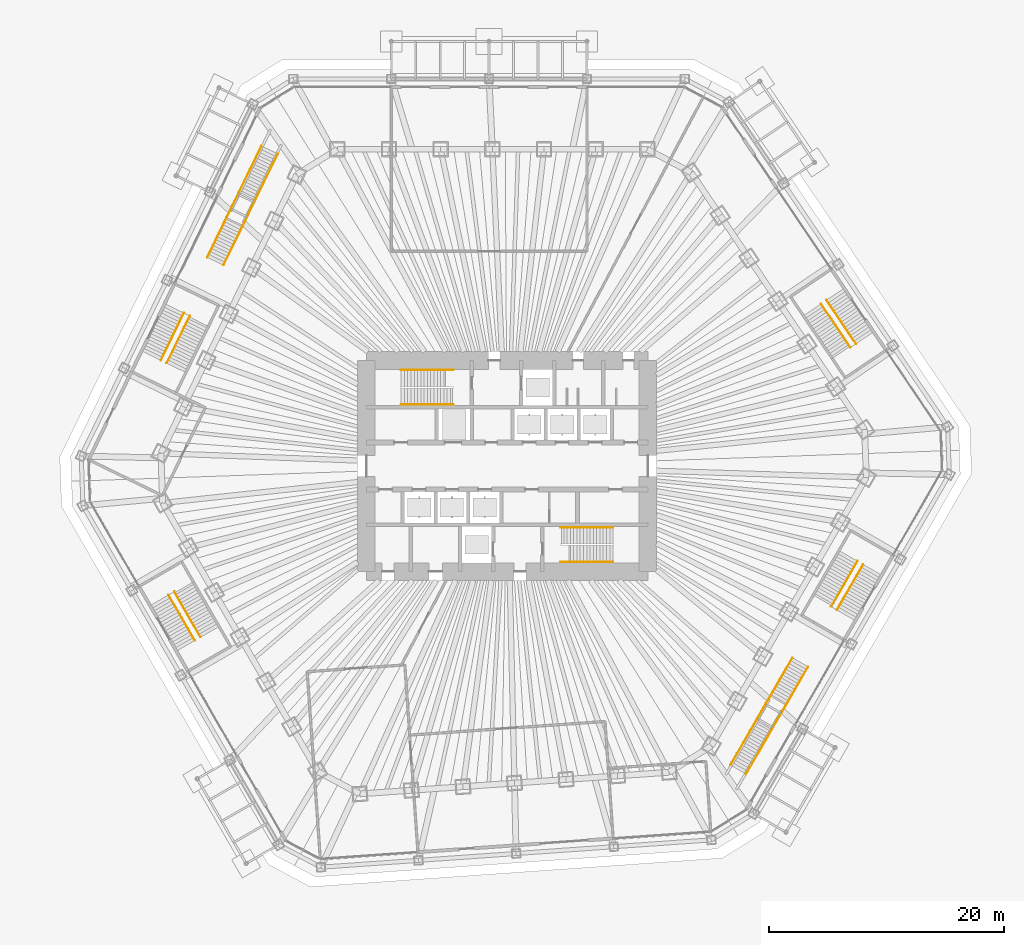
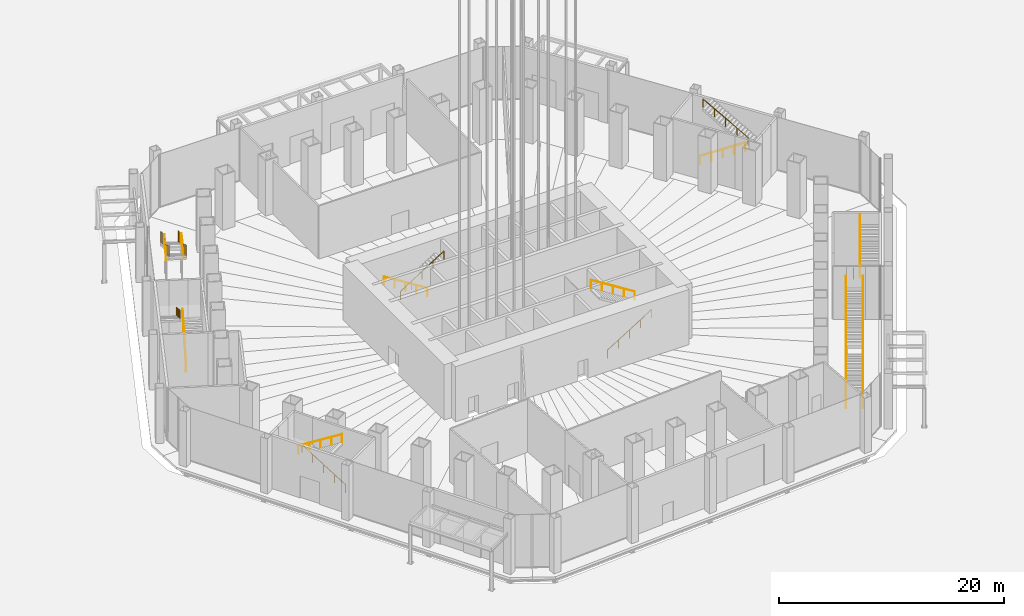
# One storey, part 32 of 45: 20 railings.
"""IFC4 building model written with IfcOpenShell, lengths in metres."""

import ifcopenshell
import ifcopenshell.guid

model = None  # the IFC model being written
_history = None  # IfcOwnerHistory: only IFC2X3 demands one
_inside = {}  # id of a spatial element -> (the spatial element, [elements in it])
_under = {}  # id of a project, library or spatial element -> (it, [spatial elements below it])
_declared = {}  # id of a project -> (the project, [libraries it declares])
_typed = {}  # id of a type object -> (the type object, [elements of that type])
_made_of = {}  # id of a material, layer set ... -> (it, [elements and type objects made of it])


def new_model(schema):
    """Start an empty IFC model of exactly this schema.

    Asked for "IFC4X3", IfcOpenShell would pick the latest addendum, in which some entities
    have other attributes; the version numbers below select the first issue.
    IFC2X3 requires an IfcOwnerHistory on every rooted entity: one is made here for all.
    """
    global model, _history
    if schema == "IFC4X3":
        model = ifcopenshell.file(schema_version=(4, 3, 0, 0))
    else:
        model = ifcopenshell.file(schema=schema)
    _inside.clear()
    _under.clear()
    _declared.clear()
    _typed.clear()
    _made_of.clear()
    _history = None
    if model.schema == "IFC2X3":
        org = make("IfcOrganization", Name="unknown")
        user = make(
            "IfcPersonAndOrganization",
            ThePerson=make("IfcPerson", FamilyName="unknown"),
            TheOrganization=org,
        )
        app = make(
            "IfcApplication",
            ApplicationDeveloper=org,
            Version="unknown",
            ApplicationFullName="unknown",
            ApplicationIdentifier="unknown",
        )
        _history = make(
            "IfcOwnerHistory",
            OwningUser=user,
            OwningApplication=app,
            ChangeAction="ADDED",
            CreationDate=0,
        )
    return model


def make(cls, **values):
    """One entity of the class cls with the attributes given. An attribute that is None is left unset."""
    return model.create_entity(
        cls, **{name: value for name, value in values.items() if value is not None}
    )


def rooted(cls, **values):
    """An entity with a GlobalId (a new one), such as an element, a storey or a relation."""
    return make(cls, GlobalId=ifcopenshell.guid.new(), OwnerHistory=_history, **values)


def si_unit(unit_type, name, prefix=None):
    """IfcSIUnit, for example si_unit("LENGTHUNIT", "METRE", prefix="MILLI")."""
    return make("IfcSIUnit", UnitType=unit_type, Prefix=prefix, Name=name)


def assignment(units):
    """IfcUnitAssignment: the units of a project."""
    return None if units is None else make("IfcUnitAssignment", Units=units)


def point(xyz):
    """IfcCartesianPoint."""
    return None if xyz is None else make("IfcCartesianPoint", Coordinates=xyz)


def direction(xyz):
    """IfcDirection."""
    return None if xyz is None else make("IfcDirection", DirectionRatios=xyz)


def frame(location, z_axis=None, x_axis=None):
    """IfcAxis2Placement3D, a coordinate frame: its origin and axes. An axis left out is left unset."""
    return make(
        "IfcAxis2Placement3D",
        Location=point(location),
        Axis=direction(z_axis),
        RefDirection=direction(x_axis),
    )


def frame_2d(location, x_axis=None):
    """IfcAxis2Placement2D, a coordinate frame in the plane: its origin and x axis."""
    return make(
        "IfcAxis2Placement2D", Location=point(location), RefDirection=direction(x_axis)
    )


def origin():
    """The frame at (0, 0, 0) with its axes left unset."""
    return frame((0.0, 0.0, 0.0))


def origin_2d():
    """The frame at (0, 0) in the plane with its x axis left unset."""
    return frame_2d((0.0, 0.0))


def place(relative_to, where):
    """IfcLocalPlacement: puts the frame where relative to a parent placement (None: the world)."""
    return make(
        "IfcLocalPlacement", PlacementRelTo=relative_to, RelativePlacement=where
    )


def context(
    kind, dimensions, precision=None, world=None, true_north=None, identifier=None
):
    """IfcGeometricRepresentationContext, for example the 3D "Model" context."""
    return make(
        "IfcGeometricRepresentationContext",
        ContextIdentifier=identifier,
        ContextType=kind,
        CoordinateSpaceDimension=dimensions,
        Precision=precision,
        WorldCoordinateSystem=world,
        TrueNorth=true_north,
    )


def subcontext(parent, identifier, kind, view, scale=None):
    """IfcGeometricRepresentationSubContext, for example "Body" below "Model"."""
    return make(
        "IfcGeometricRepresentationSubContext",
        ContextIdentifier=identifier,
        ContextType=kind,
        ParentContext=parent,
        TargetScale=scale,
        TargetView=view,
    )


def project(units=None, contexts=None):
    """IfcProject with its units and contexts."""
    return rooted(
        "IfcProject",
        Name="project",
        RepresentationContexts=contexts,
        UnitsInContext=assignment(units),
    )


def spatial(cls, under=None, at=None, **own):
    """A site, building, storey or space (cls), placed at a placement, below another one or the project."""
    s = rooted(cls, ObjectPlacement=at, **own)
    if under is not None:
        _under.setdefault(under.id(), (under, []))[1].append(s)
    return s


def profile(cls, at=None, kind="AREA", **sizes):
    """A parametric profile (cls). Its sizes go by their IFC names, for example OverallWidth=200.0."""
    return make(cls, ProfileType=kind, Position=at, **sizes)


def circle(**sizes):
    """IfcCircleProfileDef."""
    return profile("IfcCircleProfileDef", **sizes)


def extrude(swept, where, along, depth):
    """IfcExtrudedAreaSolid: the profile swept, set in the frame where, extruded along a direction by depth."""
    return make(
        "IfcExtrudedAreaSolid",
        SweptArea=swept,
        Position=where,
        ExtrudedDirection=direction(along),
        Depth=depth,
    )


def shape(context_of_items, identifier, shape_type, items):
    """IfcShapeRepresentation: the items that make up one representation, for example the "Body"."""
    return make(
        "IfcShapeRepresentation",
        ContextOfItems=context_of_items,
        RepresentationIdentifier=identifier,
        RepresentationType=shape_type,
        Items=items,
    )


def material(Name=None, Category=None):
    """IfcMaterial."""
    return make("IfcMaterial", Name=Name, Category=Category)


def made_of(thing, what):
    """Note that an element or type object is made of a material, layer set ...; save() writes the relation."""
    if what is not None:
        _made_of.setdefault(what.id(), (what, []))[1].append(thing)
    return thing


def type_object(cls, material=None, **own):
    """A type object (cls), such as IfcWallType, which elements share."""
    return made_of(rooted(cls, **own), material)


def element(
    cls,
    number,
    at=None,
    inside=None,
    cuts=None,
    type_object=None,
    material=None,
    context=None,
    identifier="Body",
    shape_type=None,
    held_by="IfcProductDefinitionShape",
    body=None,
    shapes=None,
    **own,
):
    """One element of the class cls, such as IfcWall. Its Tag is "e" and its number.

    at: its placement. inside: the storey or other place that contains it. cuts: it is an
    opening in that element (IfcRelVoidsElement). A single representation is given by context,
    identifier, shape_type and body (its items); several are given by shapes. held_by: the class
    of the entity that holds the representations. save() writes the other relations.
    """
    e = rooted(cls, Tag="e%d" % number, ObjectPlacement=at, **own)
    if body is not None:
        shapes = [shape(context, identifier, shape_type, body)]
    if shapes is not None:
        e.Representation = make(held_by, Representations=shapes)
    if inside is not None:
        _inside.setdefault(inside.id(), (inside, []))[1].append(e)
    if cuts is not None:
        rooted(
            "IfcRelVoidsElement", RelatingBuildingElement=cuts, RelatedOpeningElement=e
        )
    if type_object is not None:
        _typed.setdefault(type_object.id(), (type_object, []))[1].append(e)
    return made_of(e, material)


def aggregate(whole, parts):
    """IfcRelAggregates: a whole, such as a stair, and the parts it consists of."""
    return rooted("IfcRelAggregates", RelatingObject=whole, RelatedObjects=parts)


def save(model, path):
    """Write the relations noted so far, then the file.

    IfcRelAggregates (storeys below a building ...), IfcRelContainedInSpatialStructure (elements
    in a storey), IfcRelDefinesByType, IfcRelAssociatesMaterial and IfcRelDeclares: one each for
    every whole, place, type object, material and project.
    """
    for whole, parts in _under.values():
        aggregate(whole, parts)
    for where, things in _inside.values():
        rooted(
            "IfcRelContainedInSpatialStructure",
            RelatedElements=things,
            RelatingStructure=where,
        )
    for kind, things in _typed.values():
        rooted("IfcRelDefinesByType", RelatedObjects=things, RelatingType=kind)
    for what, things in _made_of.values():
        rooted("IfcRelAssociatesMaterial", RelatedObjects=things, RelatingMaterial=what)
    for by, libraries in _declared.values():
        rooted("IfcRelDeclares", RelatingContext=by, RelatedDefinitions=libraries)
    model.write(path)


model = new_model("IFC4")

# Units and contexts
model_context = context("Model", 3, precision=1e-05, world=origin(), true_north=direction((0.0, 1.0)))
body_context = subcontext(model_context, "Body", "Model", "MODEL_VIEW")
ifc_project = project(units=[si_unit("LENGTHUNIT", "METRE"), si_unit("AREAUNIT", "SQUARE_METRE"), si_unit("VOLUMEUNIT", "CUBIC_METRE"), si_unit("PLANEANGLEUNIT", "RADIAN"), si_unit("MASSUNIT", "GRAM", prefix="KILO")], contexts=[model_context])

# Site, building, storey
site_placement = place(None, origin())
site = spatial("IfcSite", under=ifc_project, at=site_placement, CompositionType="ELEMENT")
building_placement = place(site_placement, origin())
building = spatial("IfcBuilding", under=site, at=building_placement, Name="Qingtian Harvest Tower", CompositionType="ELEMENT")
storey_placement = place(building_placement, origin())
storey = spatial("IfcBuildingStorey", under=building, at=storey_placement, Name="L00", CompositionType="ELEMENT", Elevation=0.0)

# Railings
ifc_material_1 = material(Name="Laminated glass balustrade with steel handrail", Category="steel")
railing_type_1 = type_object("IfcRailingType", Name="Glass balustrade BG1 1200", PredefinedType="BALUSTRADE", material=ifc_material_1)
railing_1_placement = place(storey_placement, frame((20.376953125, -26.257568359375, 0.176513671875)))
element("IfcRailing", 1, at=railing_1_placement, inside=storey, type_object=railing_type_1, Name="Feature stair balustrade FS1", PredefinedType="BALUSTRADE", context=body_context, shape_type="SweptSolid", body=[
    extrude(circle(Radius=0.02392578125, at=origin_2d()), frame((0.0, 0.0, 1.17578125), z_axis=(0.423007058581, 0.732643615031, 0.533196363214), x_axis=(-0.866017690131, 0.500013360201, 0.0)), (0.0, 0.0, 1.0), 5.29541015625),
    extrude(circle(Radius=0.02392578125, at=origin_2d()), frame((2.239990234375, 3.879638671875, 3.99951171875), z_axis=(0.499880961361, 0.866094119867, 0.0), x_axis=(-0.866094119867, 0.499880961361, 0.0)), (0.0, 0.0, 1.0), 1.60009765625),
    extrude(circle(Radius=0.02392578125, at=origin_2d()), frame((3.039794921875, 5.265380859375, 3.99951171875), z_axis=(0.415447154912, 0.719595224618, 0.556404865348), x_axis=(-0.866031314237, 0.499989762656, 0.0)), (0.0, 0.0, 1.0), 5.391845703125),
    extrude(circle(Radius=0.02099609375, at=origin_2d()), origin(), (0.0, 0.0, 1.0), 1.15185546875),
    extrude(circle(Radius=0.02099609375, at=origin_2d()), frame((0.56005859375, 0.969970703125, 0.705810546875)), (0.0, 0.0, 1.0), 1.15185546875),
    extrude(circle(Radius=0.02099609375, at=origin_2d()), frame((1.1201171875, 1.93994140625, 1.41162109375)), (0.0, 0.0, 1.0), 1.15185546875),
    extrude(circle(Radius=0.02099609375, at=origin_2d()), frame((1.679931640625, 2.90966796875, 2.11767578125)), (0.0, 0.0, 1.0), 1.15185546875),
    extrude(circle(Radius=0.02099609375, at=origin_2d()), frame((2.239990234375, 3.879638671875, 2.823486328125)), (0.0, 0.0, 1.0), 1.15185546875),
    extrude(circle(Radius=0.02099609375, at=origin_2d()), frame((2.639892578125, 4.572509765625, 2.823486328125)), (0.0, 0.0, 1.0), 1.15185546875),
    extrude(circle(Radius=0.02099609375, at=origin_2d()), frame((3.039794921875, 5.265380859375, 2.823486328125)), (0.0, 0.0, 1.0), 1.15185546875),
    extrude(circle(Radius=0.02099609375, at=origin_2d()), frame((3.599853515625, 6.2353515625, 3.573486328125)), (0.0, 0.0, 1.0), 1.15185546875),
    extrude(circle(Radius=0.02099609375, at=origin_2d()), frame((4.15966796875, 7.205322265625, 4.323486328125)), (0.0, 0.0, 1.0), 1.15185546875),
    extrude(circle(Radius=0.02099609375, at=origin_2d()), frame((4.7197265625, 8.17529296875, 5.073486328125)), (0.0, 0.0, 1.0), 1.15185546875),
    extrude(circle(Radius=0.02099609375, at=origin_2d()), frame((5.27978515625, 9.145263671875, 5.823486328125)), (0.0, 0.0, 1.0), 1.15185546875),
])
railing_2_placement = place(storey_placement, frame((19.043212890625, -25.487548828125, 0.176513671875)))
element("IfcRailing", 2, at=railing_2_placement, inside=storey, type_object=railing_type_1, Name="Feature stair balustrade FS1", PredefinedType="BALUSTRADE", context=body_context, shape_type="SweptSolid", body=[
    extrude(circle(Radius=0.02392578125, at=origin_2d()), frame((0.0, 0.0, 1.17578125), z_axis=(0.423007058581, 0.732643615031, 0.533196363214), x_axis=(-0.866017690131, 0.500013360201, 0.0)), (0.0, 0.0, 1.0), 5.29541015625),
    extrude(circle(Radius=0.02392578125, at=origin_2d()), frame((2.239990234375, 3.879638671875, 3.99951171875), z_axis=(0.499995408039, 0.866028054938, 0.0), x_axis=(-0.866028054938, 0.499995408039, 0.0)), (0.0, 0.0, 1.0), 1.60009765625),
    extrude(circle(Radius=0.02392578125, at=origin_2d()), frame((3.0400390625, 5.265380859375, 3.99951171875), z_axis=(0.415447154912, 0.719595224618, 0.556404865348), x_axis=(-0.866031314237, 0.499989762656, 0.0)), (0.0, 0.0, 1.0), 5.391845703125),
    extrude(circle(Radius=0.02099609375, at=origin_2d()), origin(), (0.0, 0.0, 1.0), 1.15185546875),
    extrude(circle(Radius=0.02099609375, at=origin_2d()), frame((0.56005859375, 0.969970703125, 0.705810546875)), (0.0, 0.0, 1.0), 1.15185546875),
    extrude(circle(Radius=0.02099609375, at=origin_2d()), frame((1.1201171875, 1.93994140625, 1.41162109375)), (0.0, 0.0, 1.0), 1.15185546875),
    extrude(circle(Radius=0.02099609375, at=origin_2d()), frame((1.679931640625, 2.90966796875, 2.11767578125)), (0.0, 0.0, 1.0), 1.15185546875),
    extrude(circle(Radius=0.02099609375, at=origin_2d()), frame((2.239990234375, 3.879638671875, 2.823486328125)), (0.0, 0.0, 1.0), 1.15185546875),
    extrude(circle(Radius=0.02099609375, at=origin_2d()), frame((2.64013671875, 4.572509765625, 2.823486328125)), (0.0, 0.0, 1.0), 1.15185546875),
    extrude(circle(Radius=0.02099609375, at=origin_2d()), frame((3.0400390625, 5.265380859375, 2.823486328125)), (0.0, 0.0, 1.0), 1.15185546875),
    extrude(circle(Radius=0.02099609375, at=origin_2d()), frame((3.60009765625, 6.2353515625, 3.573486328125)), (0.0, 0.0, 1.0), 1.15185546875),
    extrude(circle(Radius=0.02099609375, at=origin_2d()), frame((4.16015625, 7.205322265625, 4.323486328125)), (0.0, 0.0, 1.0), 1.15185546875),
    extrude(circle(Radius=0.02099609375, at=origin_2d()), frame((4.719970703125, 8.17529296875, 5.073486328125)), (0.0, 0.0, 1.0), 1.15185546875),
    extrude(circle(Radius=0.02099609375, at=origin_2d()), frame((5.280029296875, 9.145263671875, 5.823486328125)), (0.0, 0.0, 1.0), 1.15185546875),
])
railing_3_placement = place(storey_placement, frame((-20.927490234375, 27.283203125, 0.176513671875)))
element("IfcRailing", 3, at=railing_3_placement, inside=storey, type_object=railing_type_1, Name="Feature stair balustrade FS2", PredefinedType="BALUSTRADE", context=body_context, shape_type="SweptSolid", body=[
    extrude(circle(Radius=0.02392578125, at=origin_2d()), frame((0.0, 0.0, 1.17578125), z_axis=(-0.370855010574, -0.76038186094, 0.53318475849), x_axis=(0.898797773377, -0.438363505065, 0.0)), (0.0, 0.0, 1.0), 5.29541015625),
    extrude(circle(Radius=0.02392578125, at=origin_2d()), frame((-1.9638671875, -4.026611328125, 3.99951171875), z_axis=(-0.43840258698, -0.898778711213, 0.0), x_axis=(0.898778711213, -0.43840258698, 0.0)), (0.0, 0.0, 1.0), 1.599853515625),
    extrude(circle(Radius=0.02392578125, at=origin_2d()), frame((-2.665283203125, -5.464599609375, 3.99951171875), z_axis=(-0.364239306964, -0.746817365708, 0.556411313274), x_axis=(0.898797773377, -0.438363505065, 0.0)), (0.0, 0.0, 1.0), 5.3916015625),
    extrude(circle(Radius=0.02099609375, at=origin_2d()), origin(), (0.0, 0.0, 1.0), 1.15185546875),
    extrude(circle(Radius=0.02099609375, at=origin_2d()), frame((-0.490966796875, -1.006591796875, 0.705810546875)), (0.0, 0.0, 1.0), 1.15185546875),
    extrude(circle(Radius=0.02099609375, at=origin_2d()), frame((-0.98193359375, -2.01318359375, 1.41162109375)), (0.0, 0.0, 1.0), 1.15185546875),
    extrude(circle(Radius=0.02099609375, at=origin_2d()), frame((-1.472900390625, -3.02001953125, 2.11767578125)), (0.0, 0.0, 1.0), 1.15185546875),
    extrude(circle(Radius=0.02099609375, at=origin_2d()), frame((-1.9638671875, -4.026611328125, 2.823486328125)), (0.0, 0.0, 1.0), 1.15185546875),
    extrude(circle(Radius=0.02099609375, at=origin_2d()), frame((-2.314453125, -4.74560546875, 2.823486328125)), (0.0, 0.0, 1.0), 1.15185546875),
    extrude(circle(Radius=0.02099609375, at=origin_2d()), frame((-2.665283203125, -5.464599609375, 2.823486328125)), (0.0, 0.0, 1.0), 1.15185546875),
    extrude(circle(Radius=0.02099609375, at=origin_2d()), frame((-3.15625, -6.47119140625, 3.573486328125)), (0.0, 0.0, 1.0), 1.15185546875),
    extrude(circle(Radius=0.02099609375, at=origin_2d()), frame((-3.647216796875, -7.47802734375, 4.323486328125)), (0.0, 0.0, 1.0), 1.15185546875),
    extrude(circle(Radius=0.02099609375, at=origin_2d()), frame((-4.13818359375, -8.484619140625, 5.073486328125)), (0.0, 0.0, 1.0), 1.15185546875),
    extrude(circle(Radius=0.02099609375, at=origin_2d()), frame((-4.629150390625, -9.4912109375, 5.823486328125)), (0.0, 0.0, 1.0), 1.15185546875),
])
railing_4_placement = place(storey_placement, frame((-19.543212890625, 26.608154296875, 0.176513671875)))
element("IfcRailing", 4, at=railing_4_placement, inside=storey, type_object=railing_type_1, Name="Feature stair balustrade FS2", PredefinedType="BALUSTRADE", context=body_context, shape_type="SweptSolid", body=[
    extrude(circle(Radius=0.02392578125, at=origin_2d()), frame((0.0, 0.0, 1.17578125), z_axis=(-0.370894772116, -0.760368859728, 0.533175641954), x_axis=(0.898776301493, -0.438407527164, 0.0)), (0.0, 0.0, 1.0), 5.295654296875),
    extrude(circle(Radius=0.02392578125, at=origin_2d()), frame((-1.964111328125, -4.026611328125, 3.99951171875), z_axis=(-0.438342468099, -0.898808033265, 0.0), x_axis=(0.898808033265, -0.438342468099, 0.0)), (0.0, 0.0, 1.0), 1.60009765625),
    extrude(circle(Radius=0.02392578125, at=origin_2d()), frame((-2.66552734375, -5.46484375, 3.99951171875), z_axis=(-0.364251624528, -0.746797338602, 0.556430129563), x_axis=(0.898787300572, -0.43838497731, 0.0)), (0.0, 0.0, 1.0), 5.3916015625),
    extrude(circle(Radius=0.02099609375, at=origin_2d()), origin(), (0.0, 0.0, 1.0), 1.15185546875),
    extrude(circle(Radius=0.02099609375, at=origin_2d()), frame((-0.490966796875, -1.006591796875, 0.705810546875)), (0.0, 0.0, 1.0), 1.15185546875),
    extrude(circle(Radius=0.02099609375, at=origin_2d()), frame((-0.98193359375, -2.01318359375, 1.41162109375)), (0.0, 0.0, 1.0), 1.15185546875),
    extrude(circle(Radius=0.02099609375, at=origin_2d()), frame((-1.47314453125, -3.02001953125, 2.11767578125)), (0.0, 0.0, 1.0), 1.15185546875),
    extrude(circle(Radius=0.02099609375, at=origin_2d()), frame((-1.964111328125, -4.026611328125, 2.823486328125)), (0.0, 0.0, 1.0), 1.15185546875),
    extrude(circle(Radius=0.02099609375, at=origin_2d()), frame((-2.31494140625, -4.74560546875, 2.823486328125)), (0.0, 0.0, 1.0), 1.15185546875),
    extrude(circle(Radius=0.02099609375, at=origin_2d()), frame((-2.66552734375, -5.46484375, 2.823486328125)), (0.0, 0.0, 1.0), 1.15185546875),
    extrude(circle(Radius=0.02099609375, at=origin_2d()), frame((-3.156494140625, -6.471435546875, 3.573486328125)), (0.0, 0.0, 1.0), 1.15185546875),
    extrude(circle(Radius=0.02099609375, at=origin_2d()), frame((-3.6474609375, -7.47802734375, 4.323486328125)), (0.0, 0.0, 1.0), 1.15185546875),
    extrude(circle(Radius=0.02099609375, at=origin_2d()), frame((-4.138427734375, -8.484619140625, 5.073486328125)), (0.0, 0.0, 1.0), 1.15185546875),
    extrude(circle(Radius=0.02099609375, at=origin_2d()), frame((-4.62939453125, -9.4912109375, 5.823486328125)), (0.0, 0.0, 1.0), 1.15185546875),
])
ifc_material_2 = material(Name="Bronze-finished steel guard", Category="steel")
railing_type_2 = type_object("IfcRailingType", Name="Guard GR1 1200", PredefinedType="GUARDRAIL", material=ifc_material_2)
railing_5_placement = place(storey_placement, frame((22.616943359375, -22.3779296875, 3.0)))
element("IfcRailing", 5, at=railing_5_placement, inside=storey, type_object=railing_type_2, Name="Feature stair landing guard FS1", PredefinedType="GUARDRAIL", context=body_context, shape_type="SweptSolid", body=[
    extrude(circle(Radius=0.02392578125, at=origin_2d()), frame((0.0, 0.0, 1.17578125), z_axis=(0.499890179513, 0.866088799389, 0.0), x_axis=(-0.866088799389, 0.499890179513, 0.0)), (0.0, 0.0, 1.0), 2.31005859375),
    extrude(circle(Radius=0.02099609375, at=origin_2d()), origin(), (0.0, 0.0, 1.0), 1.15185546875),
    extrude(circle(Radius=0.02099609375, at=origin_2d()), frame((0.577392578125, 1.00048828125, 0.0)), (0.0, 0.0, 1.0), 1.15185546875),
    extrude(circle(Radius=0.02099609375, at=origin_2d()), frame((1.15478515625, 2.000732421875, 0.0)), (0.0, 0.0, 1.0), 1.15185546875),
])
railing_6_placement = place(storey_placement, frame((21.283203125, -21.60791015625, 3.0)))
element("IfcRailing", 6, at=railing_6_placement, inside=storey, type_object=railing_type_2, Name="Feature stair landing guard FS1", PredefinedType="GUARDRAIL", context=body_context, shape_type="SweptSolid", body=[
    extrude(circle(Radius=0.02392578125, at=origin_2d()), frame((0.0, 0.0, 1.17578125), z_axis=(0.500015210774, 0.866016621662, 0.0), x_axis=(-0.866016621662, 0.500015210774, 0.0)), (0.0, 0.0, 1.0), 2.31005859375),
    extrude(circle(Radius=0.02099609375, at=origin_2d()), origin(), (0.0, 0.0, 1.0), 1.15185546875),
    extrude(circle(Radius=0.02099609375, at=origin_2d()), frame((0.57763671875, 1.000244140625, 0.0)), (0.0, 0.0, 1.0), 1.15185546875),
    extrude(circle(Radius=0.02099609375, at=origin_2d()), frame((1.155029296875, 2.00048828125, 0.0)), (0.0, 0.0, 1.0), 1.15185546875),
])
railing_7_placement = place(storey_placement, frame((-22.891357421875, 23.256591796875, 3.0)))
element("IfcRailing", 7, at=railing_7_placement, inside=storey, type_object=railing_type_2, Name="Feature stair landing guard FS2", PredefinedType="GUARDRAIL", context=body_context, shape_type="SweptSolid", body=[
    extrude(circle(Radius=0.02392578125, at=origin_2d()), frame((0.0, 0.0, 1.17578125), z_axis=(-0.438398644313, -0.89878063434, 0.0), x_axis=(0.89878063434, -0.438398644313, 0.0)), (0.0, 0.0, 1.0), 2.31005859375),
    extrude(circle(Radius=0.02099609375, at=origin_2d()), origin(), (0.0, 0.0, 1.0), 1.15185546875),
    extrude(circle(Radius=0.02099609375, at=origin_2d()), frame((-0.50634765625, -1.0380859375, 0.0)), (0.0, 0.0, 1.0), 1.15185546875),
    extrude(circle(Radius=0.02099609375, at=origin_2d()), frame((-1.0126953125, -2.076171875, 0.0)), (0.0, 0.0, 1.0), 1.15185546875),
])
railing_8_placement = place(storey_placement, frame((-21.50732421875, 22.58154296875, 3.0)))
element("IfcRailing", 8, at=railing_8_placement, inside=storey, type_object=railing_type_2, Name="Feature stair landing guard FS2", PredefinedType="GUARDRAIL", context=body_context, shape_type="SweptSolid", body=[
    extrude(circle(Radius=0.02392578125, at=origin_2d()), frame((0.0, 0.0, 1.17578125), z_axis=(-0.438313261974, -0.898822276303, 0.0), x_axis=(0.898822276303, -0.438313261974, 0.0)), (0.0, 0.0, 1.0), 2.309814453125),
    extrude(circle(Radius=0.02099609375, at=origin_2d()), origin(), (0.0, 0.0, 1.0), 1.15185546875),
    extrude(circle(Radius=0.02099609375, at=origin_2d()), frame((-0.50634765625, -1.0380859375, 0.0)), (0.0, 0.0, 1.0), 1.15185546875),
    extrude(circle(Radius=0.02099609375, at=origin_2d()), frame((-1.012451171875, -2.076171875, 0.0)), (0.0, 0.0, 1.0), 1.15185546875),
])
ifc_material_3 = material(Name="Stainless steel handrail", Category="steel")
railing_type_3 = type_object("IfcRailingType", Name="Handrail HR1", PredefinedType="HANDRAIL", material=ifc_material_3)
railing_9_placement = place(storey_placement, frame((26.765869140625, 13.823486328125, 0.176513671875)))
element("IfcRailing", 9, at=railing_9_placement, inside=storey, type_object=railing_type_3, Name="Handrail HR1 P1 flight 1", PredefinedType="HANDRAIL", context=body_context, shape_type="SweptSolid", body=[
    extrude(circle(Radius=0.02392578125, at=origin_2d()), frame((0.0, 0.0, 0.8759765625), z_axis=(0.473102580945, -0.701355443766, 0.533173976675), x_axis=(0.829019839157, 0.559219193415, 0.0)), (0.0, 0.0, 1.0), 5.295654296875),
    extrude(circle(Radius=0.02099609375, at=origin_2d()), origin(), (0.0, 0.0, 1.0), 0.851806640625),
    extrude(circle(Radius=0.02099609375, at=origin_2d()), frame((0.62646484375, -0.928466796875, 0.705810546875)), (0.0, 0.0, 1.0), 0.851806640625),
    extrude(circle(Radius=0.02099609375, at=origin_2d()), frame((1.252685546875, -1.85693359375, 1.41162109375)), (0.0, 0.0, 1.0), 0.851806640625),
    extrude(circle(Radius=0.02099609375, at=origin_2d()), frame((1.87890625, -2.78564453125, 2.11767578125)), (0.0, 0.0, 1.0), 0.851806640625),
    extrude(circle(Radius=0.02099609375, at=origin_2d()), frame((2.50537109375, -3.714111328125, 2.823486328125)), (0.0, 0.0, 1.0), 0.851806640625),
])
railing_10_placement = place(storey_placement, frame((29.7353515625, 10.422607421875, 3.176513671875)))
element("IfcRailing", 10, at=railing_10_placement, inside=storey, type_object=railing_type_3, Name="Handrail HR1 P1 flight 2", PredefinedType="HANDRAIL", context=body_context, shape_type="SweptSolid", body=[
    extrude(circle(Radius=0.02392578125, at=origin_2d()), frame((0.0, 0.0, 0.8759765625), z_axis=(-0.473066796312, 0.701370740892, 0.533185605628), x_axis=(-0.829045102786, -0.559181739282, 0.0)), (0.0, 0.0, 1.0), 5.29541015625),
    extrude(circle(Radius=0.02099609375, at=origin_2d()), origin(), (0.0, 0.0, 1.0), 0.851806640625),
    extrude(circle(Radius=0.02099609375, at=origin_2d()), frame((-0.626220703125, 0.928466796875, 0.705810546875)), (0.0, 0.0, 1.0), 0.851806640625),
    extrude(circle(Radius=0.02099609375, at=origin_2d()), frame((-1.25244140625, 1.85693359375, 1.41162109375)), (0.0, 0.0, 1.0), 0.851806640625),
    extrude(circle(Radius=0.02099609375, at=origin_2d()), frame((-1.87890625, 2.78564453125, 2.11767578125)), (0.0, 0.0, 1.0), 0.851806640625),
    extrude(circle(Radius=0.02099609375, at=origin_2d()), frame((-2.505126953125, 3.714111328125, 2.823486328125)), (0.0, 0.0, 1.0), 0.851806640625),
])
railing_11_placement = place(storey_placement, frame((29.865966796875, -8.110595703125, 0.176513671875)))
element("IfcRailing", 11, at=railing_11_placement, inside=storey, type_object=railing_type_3, Name="Handrail HR1 P2 flight 1", PredefinedType="HANDRAIL", context=body_context, shape_type="SweptSolid", body=[
    extrude(circle(Radius=0.02392578125, at=origin_2d()), frame((0.0, 0.0, 0.8759765625), z_axis=(-0.42299277051, -0.732664971003, 0.533178353237), x_axis=(0.866031314237, -0.499989762656, 0.0)), (0.0, 0.0, 1.0), 5.295654296875),
    extrude(circle(Radius=0.02099609375, at=origin_2d()), origin(), (0.0, 0.0, 1.0), 0.851806640625),
    extrude(circle(Radius=0.02099609375, at=origin_2d()), frame((-0.56005859375, -0.969970703125, 0.705810546875)), (0.0, 0.0, 1.0), 0.851806640625),
    extrude(circle(Radius=0.02099609375, at=origin_2d()), frame((-1.1201171875, -1.93994140625, 1.41162109375)), (0.0, 0.0, 1.0), 0.851806640625),
    extrude(circle(Radius=0.02099609375, at=origin_2d()), frame((-1.679931640625, -2.909912109375, 2.11767578125)), (0.0, 0.0, 1.0), 0.851806640625),
    extrude(circle(Radius=0.02099609375, at=origin_2d()), frame((-2.239990234375, -3.8798828125, 2.823486328125)), (0.0, 0.0, 1.0), 0.851806640625),
])
railing_12_placement = place(storey_placement, frame((28.11083984375, -12.2705078125, 3.176513671875)))
element("IfcRailing", 12, at=railing_12_placement, inside=storey, type_object=railing_type_3, Name="Handrail HR1 P2 flight 2", PredefinedType="HANDRAIL", context=body_context, shape_type="SweptSolid", body=[
    extrude(circle(Radius=0.02392578125, at=origin_2d()), frame((0.0, 0.0, 0.8759765625), z_axis=(0.42299277051, 0.732664971003, 0.533178353237), x_axis=(-0.866031314237, 0.499989762656, 0.0)), (0.0, 0.0, 1.0), 5.295654296875),
    extrude(circle(Radius=0.02099609375, at=origin_2d()), origin(), (0.0, 0.0, 1.0), 0.851806640625),
    extrude(circle(Radius=0.02099609375, at=origin_2d()), frame((0.56005859375, 0.969970703125, 0.705810546875)), (0.0, 0.0, 1.0), 0.851806640625),
    extrude(circle(Radius=0.02099609375, at=origin_2d()), frame((1.1201171875, 1.93994140625, 1.41162109375)), (0.0, 0.0, 1.0), 0.851806640625),
    extrude(circle(Radius=0.02099609375, at=origin_2d()), frame((1.679931640625, 2.909912109375, 2.11767578125)), (0.0, 0.0, 1.0), 0.851806640625),
    extrude(circle(Radius=0.02099609375, at=origin_2d()), frame((2.239990234375, 3.8798828125, 2.823486328125)), (0.0, 0.0, 1.0), 0.851806640625),
])
railing_13_placement = place(storey_placement, frame((-26.1279296875, -14.585205078125, 0.176513671875)))
element("IfcRailing", 13, at=railing_13_placement, inside=storey, type_object=railing_type_3, Name="Handrail HR1 P3 flight 1", PredefinedType="HANDRAIL", context=body_context, shape_type="SweptSolid", body=[
    extrude(circle(Radius=0.02392578125, at=origin_2d()), frame((0.0, 0.0, 0.8759765625), z_axis=(-0.42299277051, 0.732664971003, 0.533178353237), x_axis=(-0.866031314237, -0.499989762656, 0.0)), (0.0, 0.0, 1.0), 5.295654296875),
    extrude(circle(Radius=0.02099609375, at=origin_2d()), origin(), (0.0, 0.0, 1.0), 0.851806640625),
    extrude(circle(Radius=0.02099609375, at=origin_2d()), frame((-0.56005859375, 0.969970703125, 0.705810546875)), (0.0, 0.0, 1.0), 0.851806640625),
    extrude(circle(Radius=0.02099609375, at=origin_2d()), frame((-1.1201171875, 1.93994140625, 1.41162109375)), (0.0, 0.0, 1.0), 0.851806640625),
    extrude(circle(Radius=0.02099609375, at=origin_2d()), frame((-1.679931640625, 2.909912109375, 2.11767578125)), (0.0, 0.0, 1.0), 0.851806640625),
    extrude(circle(Radius=0.02099609375, at=origin_2d()), frame((-2.239990234375, 3.8798828125, 2.823486328125)), (0.0, 0.0, 1.0), 0.851806640625),
])
railing_14_placement = place(storey_placement, frame((-28.852783203125, -10.9853515625, 3.176513671875)))
element("IfcRailing", 14, at=railing_14_placement, inside=storey, type_object=railing_type_3, Name="Handrail HR1 P3 flight 2", PredefinedType="HANDRAIL", context=body_context, shape_type="SweptSolid", body=[
    extrude(circle(Radius=0.02392578125, at=origin_2d()), frame((0.0, 0.0, 0.8759765625), z_axis=(0.42299277051, -0.732664971003, 0.533178353237), x_axis=(0.866031314237, 0.499989762656, 0.0)), (0.0, 0.0, 1.0), 5.295654296875),
    extrude(circle(Radius=0.02099609375, at=origin_2d()), origin(), (0.0, 0.0, 1.0), 0.851806640625),
    extrude(circle(Radius=0.02099609375, at=origin_2d()), frame((0.56005859375, -0.969970703125, 0.705810546875)), (0.0, 0.0, 1.0), 0.851806640625),
    extrude(circle(Radius=0.02099609375, at=origin_2d()), frame((1.1201171875, -1.93994140625, 1.41162109375)), (0.0, 0.0, 1.0), 0.851806640625),
    extrude(circle(Radius=0.02099609375, at=origin_2d()), frame((1.679931640625, -2.909912109375, 2.11767578125)), (0.0, 0.0, 1.0), 0.851806640625),
    extrude(circle(Radius=0.02099609375, at=origin_2d()), frame((2.239990234375, -3.8798828125, 2.823486328125)), (0.0, 0.0, 1.0), 0.851806640625),
])
railing_15_placement = place(storey_placement, frame((-29.01123046875, 8.770751953125, 0.176513671875)))
element("IfcRailing", 15, at=railing_15_placement, inside=storey, type_object=railing_type_3, Name="Handrail HR1 P4 flight 1", PredefinedType="HANDRAIL", context=body_context, shape_type="SweptSolid", body=[
    extrude(circle(Radius=0.02392578125, at=origin_2d()), frame((0.0, 0.0, 0.8759765625), z_axis=(0.370855010574, 0.76038186094, 0.53318475849), x_axis=(-0.898797773377, 0.438363505065, 0.0)), (0.0, 0.0, 1.0), 5.29541015625),
    extrude(circle(Radius=0.02099609375, at=origin_2d()), origin(), (0.0, 0.0, 1.0), 0.851806640625),
    extrude(circle(Radius=0.02099609375, at=origin_2d()), frame((0.490966796875, 1.006591796875, 0.705810546875)), (0.0, 0.0, 1.0), 0.851806640625),
    extrude(circle(Radius=0.02099609375, at=origin_2d()), frame((0.98193359375, 2.01318359375, 1.41162109375)), (0.0, 0.0, 1.0), 0.851806640625),
    extrude(circle(Radius=0.02099609375, at=origin_2d()), frame((1.472900390625, 3.02001953125, 2.11767578125)), (0.0, 0.0, 1.0), 0.851806640625),
    extrude(circle(Radius=0.02099609375, at=origin_2d()), frame((1.9638671875, 4.026611328125, 2.823486328125)), (0.0, 0.0, 1.0), 0.851806640625),
])
railing_16_placement = place(storey_placement, frame((-27.55078125, 13.042724609375, 3.176513671875)))
element("IfcRailing", 16, at=railing_16_placement, inside=storey, type_object=railing_type_3, Name="Handrail HR1 P4 flight 2", PredefinedType="HANDRAIL", context=body_context, shape_type="SweptSolid", body=[
    extrude(circle(Radius=0.02392578125, at=origin_2d()), frame((0.0, 0.0, 0.8759765625), z_axis=(-0.370855010574, -0.76038186094, 0.53318475849), x_axis=(0.898797773377, -0.438363505065, 0.0)), (0.0, 0.0, 1.0), 5.29541015625),
    extrude(circle(Radius=0.02099609375, at=origin_2d()), origin(), (0.0, 0.0, 1.0), 0.851806640625),
    extrude(circle(Radius=0.02099609375, at=origin_2d()), frame((-0.490966796875, -1.006591796875, 0.705810546875)), (0.0, 0.0, 1.0), 0.851806640625),
    extrude(circle(Radius=0.02099609375, at=origin_2d()), frame((-0.98193359375, -2.01318359375, 1.41162109375)), (0.0, 0.0, 1.0), 0.851806640625),
    extrude(circle(Radius=0.02099609375, at=origin_2d()), frame((-1.472900390625, -3.02001953125, 2.11767578125)), (0.0, 0.0, 1.0), 0.851806640625),
    extrude(circle(Radius=0.02099609375, at=origin_2d()), frame((-1.9638671875, -4.026611328125, 2.823486328125)), (0.0, 0.0, 1.0), 0.851806640625),
])
railing_17_placement = place(storey_placement, frame((-4.550048828125, 8.169921875, 0.176513671875)))
element("IfcRailing", 17, at=railing_17_placement, inside=storey, type_object=railing_type_3, Name="Handrail HR1 S1 flight 1", PredefinedType="HANDRAIL", context=body_context, shape_type="SweptSolid", body=[
    extrude(circle(Radius=0.02392578125, at=origin_2d()), frame((0.0, 0.0, 0.8759765625), z_axis=(-0.845997938375, 0.0, 0.533186166611), x_axis=(0.0, -1.0, 0.0)), (0.0, 0.0, 1.0), 5.29541015625),
    extrude(circle(Radius=0.02099609375, at=origin_2d()), origin(), (0.0, 0.0, 1.0), 0.851806640625),
    extrude(circle(Radius=0.02099609375, at=origin_2d()), frame((-1.1201171875, 0.0, 0.705810546875)), (0.0, 0.0, 1.0), 0.851806640625),
    extrude(circle(Radius=0.02099609375, at=origin_2d()), frame((-2.239990234375, 0.0, 1.41162109375)), (0.0, 0.0, 1.0), 0.851806640625),
    extrude(circle(Radius=0.02099609375, at=origin_2d()), frame((-3.35986328125, 0.0, 2.11767578125)), (0.0, 0.0, 1.0), 0.851806640625),
    extrude(circle(Radius=0.02099609375, at=origin_2d()), frame((-4.47998046875, 0.0, 2.823486328125)), (0.0, 0.0, 1.0), 0.851806640625),
])
for number, where, name in (
    (18, (-9.030029296875, 5.22998046875, 3.176513671875), "Handrail HR1 S1 flight 2"),
    (19, (4.550048828125, -8.169921875, 0.176513671875), "Handrail HR1 S2 flight 1"),
):
    element("IfcRailing", number, at=place(storey_placement, frame(where)), inside=storey, type_object=railing_type_3, Name=name, PredefinedType="HANDRAIL", context=body_context, shape_type="SweptSolid", body=[
        extrude(circle(Radius=0.02392578125, at=origin_2d()), frame((0.0, 0.0, 0.8759765625), z_axis=(0.845997938375, 0.0, 0.533186166611), x_axis=(0.0, 1.0, 0.0)), (0.0, 0.0, 1.0), 5.29541015625),
        extrude(circle(Radius=0.02099609375, at=origin_2d()), origin(), (0.0, 0.0, 1.0), 0.851806640625),
        extrude(circle(Radius=0.02099609375, at=origin_2d()), frame((1.1201171875, 0.0, 0.705810546875)), (0.0, 0.0, 1.0), 0.851806640625),
        extrude(circle(Radius=0.02099609375, at=origin_2d()), frame((2.239990234375, 0.0, 1.41162109375)), (0.0, 0.0, 1.0), 0.851806640625),
        extrude(circle(Radius=0.02099609375, at=origin_2d()), frame((3.35986328125, 0.0, 2.11767578125)), (0.0, 0.0, 1.0), 0.851806640625),
        extrude(circle(Radius=0.02099609375, at=origin_2d()), frame((4.47998046875, 0.0, 2.823486328125)), (0.0, 0.0, 1.0), 0.851806640625),
    ])
railing_18_placement = place(storey_placement, frame((9.030029296875, -5.22998046875, 3.176513671875)))
element("IfcRailing", 20, at=railing_18_placement, inside=storey, type_object=railing_type_3, Name="Handrail HR1 S2 flight 2", PredefinedType="HANDRAIL", context=body_context, shape_type="SweptSolid", body=[
    extrude(circle(Radius=0.02392578125, at=origin_2d()), frame((0.0, 0.0, 0.8759765625), z_axis=(-0.845997938375, 0.0, 0.533186166611), x_axis=(0.0, -1.0, 0.0)), (0.0, 0.0, 1.0), 5.29541015625),
    extrude(circle(Radius=0.02099609375, at=origin_2d()), origin(), (0.0, 0.0, 1.0), 0.851806640625),
    extrude(circle(Radius=0.02099609375, at=origin_2d()), frame((-1.1201171875, 0.0, 0.705810546875)), (0.0, 0.0, 1.0), 0.851806640625),
    extrude(circle(Radius=0.02099609375, at=origin_2d()), frame((-2.239990234375, 0.0, 1.41162109375)), (0.0, 0.0, 1.0), 0.851806640625),
    extrude(circle(Radius=0.02099609375, at=origin_2d()), frame((-3.35986328125, 0.0, 2.11767578125)), (0.0, 0.0, 1.0), 0.851806640625),
    extrude(circle(Radius=0.02099609375, at=origin_2d()), frame((-4.47998046875, 0.0, 2.823486328125)), (0.0, 0.0, 1.0), 0.851806640625),
])

save(model, "model.ifc")
